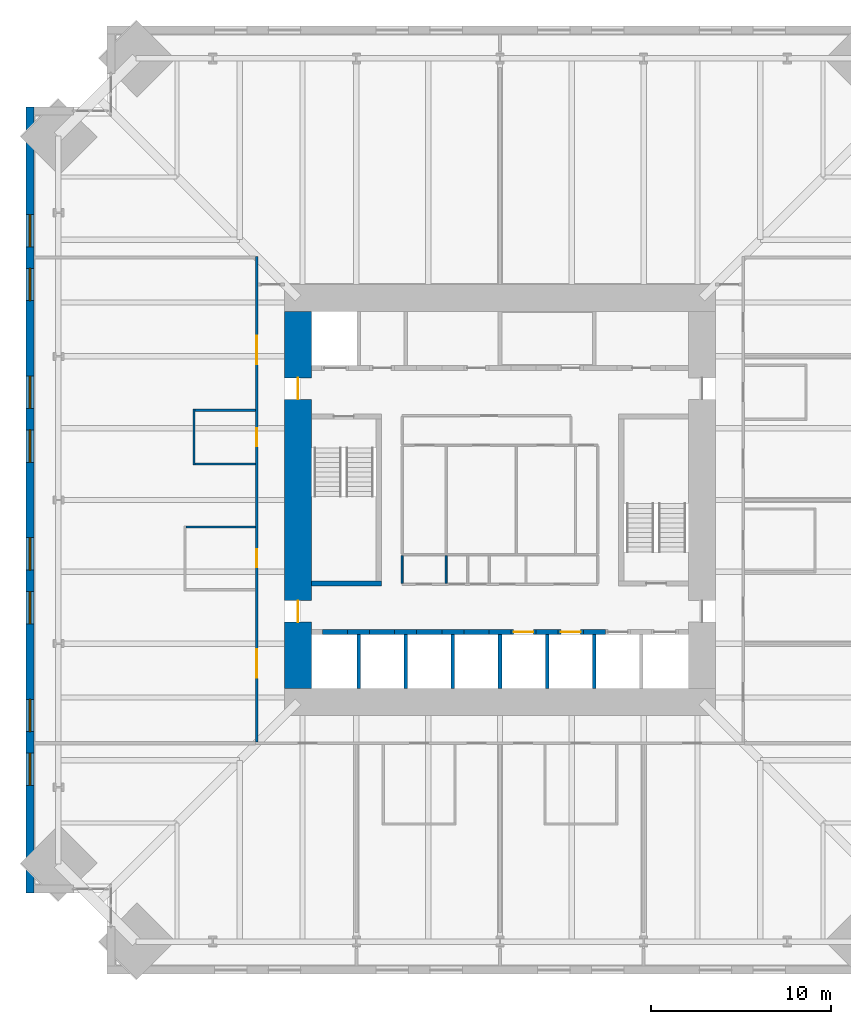
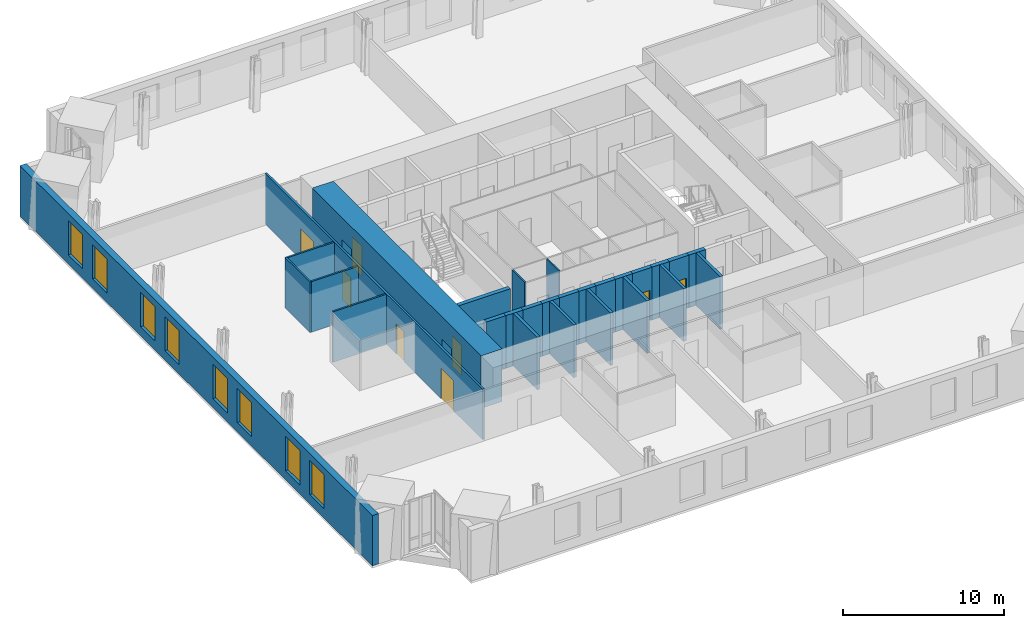
# One storey, part 14 of 18: 28 walls, 8 doors, 8 windows, 16 openings.
"""IFC4 building model written with IfcOpenShell, lengths in metres."""

from ifc_helpers import new_model, si_unit, direction, frame, frame_2d, origin, place, context, subcontext, project, spatial, rectangle, extrude, material, layer, layer_set, type_object, element, fill, save


model = new_model("IFC4")

# Units and contexts
model_context = context("Model", 3, precision=1e-05, world=origin(), true_north=direction((0.0, 1.0)))
body_context = subcontext(model_context, "Body", "Model", "MODEL_VIEW")
ifc_project = project(units=[si_unit("LENGTHUNIT", "METRE"), si_unit("AREAUNIT", "SQUARE_METRE"), si_unit("VOLUMEUNIT", "CUBIC_METRE"), si_unit("PLANEANGLEUNIT", "RADIAN"), si_unit("MASSUNIT", "GRAM", prefix="KILO")], contexts=[model_context])

# Site, building, storey
site_placement = place(None, origin())
site = spatial("IfcSite", under=ifc_project, at=site_placement, CompositionType="ELEMENT")
building_placement = place(site_placement, origin())
building = spatial("IfcBuilding", under=site, at=building_placement, Name="Peilmerk Tower", CompositionType="ELEMENT")
storey_placement = place(building_placement, frame((0.0, 0.0, 155.800048828125)))
storey = spatial("IfcBuildingStorey", under=building, at=storey_placement, Name="L32", CompositionType="ELEMENT", Elevation=155.800048828125)

# Wall, openings, windows
ifc_material_1 = material(Name="Precast concrete C45/55, board-marked finish", Category="concrete")
ifc_layer_1 = layer(ifc_material_1, 0.449951171875)
ifc_layer_set_1 = layer_set([ifc_layer_1], Name="Precast concrete C45/55, board-marked finish")
wall_type_1 = type_object("IfcWallType", Name="EW1 450 precast concrete facade wall, board-marked", PredefinedType="SOLIDWALL", material=ifc_layer_set_1)
wall_1_placement = place(storey_placement, frame((-26.175048828125, 21.89990234375, 0.0), z_axis=(0.0, 0.0, 1.0), x_axis=(0.0, -1.0, 0.0)))
wall_1 = element("IfcWall", 1, at=wall_1_placement, inside=storey, type_object=wall_type_1, Name="Facade wall W L32", PredefinedType="SOLIDWALL", context=body_context, shape_type="SweptSolid", body=[
    extrude(rectangle(XDim=43.7998046875, YDim=0.449951171875, at=frame_2d((21.89990234375, 0.0))), origin(), (0.0, 0.0, 1.0), 3.829833984375),
])
opening_1_placement = place(wall_1_placement, frame((6.0, 0.0, 0.699951171875)))
opening_1 = element("IfcOpeningElement", 2, at=opening_1_placement, cuts=wall_1, Name="Opening W1", PredefinedType="OPENING", context=body_context, shape_type="SweptSolid", body=[
    extrude(rectangle(XDim=1.800048828125, YDim=2.60009765625, at=frame_2d((0.89990234375, 1.300048828125))), frame((0.0, 0.23486328125, 0.0), z_axis=(0.0, -1.0, 0.0), x_axis=(1.0, 0.0, 0.0)), (0.0, 0.0, 1.0), 0.469970703125),
])
opening_2_placement = place(wall_1_placement, frame((9.0, 0.0, 0.699951171875)))
opening_2 = element("IfcOpeningElement", 3, at=opening_2_placement, cuts=wall_1, Name="Opening W1", PredefinedType="OPENING", context=body_context, shape_type="SweptSolid", body=[
    extrude(rectangle(XDim=1.800048828125, YDim=2.60009765625, at=frame_2d((0.89990234375, 1.300048828125))), frame((0.0, 0.23486328125, 0.0), z_axis=(0.0, -1.0, 0.0), x_axis=(1.0, 0.0, 0.0)), (0.0, 0.0, 1.0), 0.469970703125),
])
opening_3_placement = place(wall_1_placement, frame((15.0, 0.0, 0.699951171875)))
opening_3 = element("IfcOpeningElement", 4, at=opening_3_placement, cuts=wall_1, Name="Opening W1", PredefinedType="OPENING", context=body_context, shape_type="SweptSolid", body=[
    extrude(rectangle(XDim=1.800048828125, YDim=2.60009765625, at=frame_2d((0.89990234375, 1.300048828125))), frame((0.0, 0.23486328125, 0.0), z_axis=(0.0, -1.0, 0.0), x_axis=(1.0, 0.0, 0.0)), (0.0, 0.0, 1.0), 0.469970703125),
])
opening_4_placement = place(wall_1_placement, frame((18.0, 0.0, 0.699951171875)))
opening_4 = element("IfcOpeningElement", 5, at=opening_4_placement, cuts=wall_1, Name="Opening W1", PredefinedType="OPENING", context=body_context, shape_type="SweptSolid", body=[
    extrude(rectangle(XDim=1.800048828125, YDim=2.60009765625, at=frame_2d((0.89990234375, 1.300048828125))), frame((0.0, 0.23486328125, 0.0), z_axis=(0.0, -1.0, 0.0), x_axis=(1.0, 0.0, 0.0)), (0.0, 0.0, 1.0), 0.469970703125),
])
opening_5_placement = place(wall_1_placement, frame((24.0, 0.0, 0.699951171875)))
opening_5 = element("IfcOpeningElement", 6, at=opening_5_placement, cuts=wall_1, Name="Opening W1", PredefinedType="OPENING", context=body_context, shape_type="SweptSolid", body=[
    extrude(rectangle(XDim=1.800048828125, YDim=2.60009765625, at=frame_2d((0.89990234375, 1.300048828125))), frame((0.0, 0.23486328125, 0.0), z_axis=(0.0, -1.0, 0.0), x_axis=(1.0, 0.0, 0.0)), (0.0, 0.0, 1.0), 0.469970703125),
])
opening_6_placement = place(wall_1_placement, frame((27.0, 0.0, 0.699951171875)))
opening_6 = element("IfcOpeningElement", 7, at=opening_6_placement, cuts=wall_1, Name="Opening W1", PredefinedType="OPENING", context=body_context, shape_type="SweptSolid", body=[
    extrude(rectangle(XDim=1.800048828125, YDim=2.60009765625, at=frame_2d((0.89990234375, 1.300048828125))), frame((0.0, 0.23486328125, 0.0), z_axis=(0.0, -1.0, 0.0), x_axis=(1.0, 0.0, 0.0)), (0.0, 0.0, 1.0), 0.469970703125),
])
opening_7_placement = place(wall_1_placement, frame((33.0, 0.0, 0.699951171875)))
opening_7 = element("IfcOpeningElement", 8, at=opening_7_placement, cuts=wall_1, Name="Opening W1", PredefinedType="OPENING", context=body_context, shape_type="SweptSolid", body=[
    extrude(rectangle(XDim=1.800048828125, YDim=2.60009765625, at=frame_2d((0.89990234375, 1.300048828125))), frame((0.0, 0.23486328125, 0.0), z_axis=(0.0, -1.0, 0.0), x_axis=(1.0, 0.0, 0.0)), (0.0, 0.0, 1.0), 0.469970703125),
])
opening_8_placement = place(wall_1_placement, frame((36.0, 0.0, 0.699951171875)))
opening_8 = element("IfcOpeningElement", 9, at=opening_8_placement, cuts=wall_1, Name="Opening W1", PredefinedType="OPENING", context=body_context, shape_type="SweptSolid", body=[
    extrude(rectangle(XDim=1.800048828125, YDim=2.60009765625, at=frame_2d((0.89990234375, 1.300048828125))), frame((0.0, 0.23486328125, 0.0), z_axis=(0.0, -1.0, 0.0), x_axis=(1.0, 0.0, 0.0)), (0.0, 0.0, 1.0), 0.469970703125),
])
ifc_material_2 = material(Name="Aluminium frame, clear double glazing", Category="aluminium")
window_type = type_object("IfcWindowType", Name="W1 1800x2600 office window", PartitioningType="SINGLE_PANEL", PredefinedType="WINDOW", material=ifc_material_2)
window_1_placement = place(opening_1_placement, origin())
window_1 = element("IfcWindow", 10, at=window_1_placement, inside=storey, type_object=window_type, Name="Window W1 L32", OverallHeight=2.60009765625, OverallWidth=1.800048828125, PartitioningType="SINGLE_PANEL", PredefinedType="WINDOW", context=body_context, shape_type="SweptSolid", body=[
    extrude(rectangle(XDim=1.800048828125, YDim=2.60009765625, at=frame_2d((0.89990234375, 1.300048828125))), frame((0.0, 0.030029296875, 0.0), z_axis=(0.0, -1.0, 0.0), x_axis=(1.0, 0.0, 0.0)), (0.0, 0.0, 1.0), 0.06005859375),
])
fill(opening_1, window_1)
window_2_placement = place(opening_2_placement, origin())
window_2 = element("IfcWindow", 11, at=window_2_placement, inside=storey, type_object=window_type, Name="Window W1 L32", OverallHeight=2.60009765625, OverallWidth=1.800048828125, PartitioningType="SINGLE_PANEL", PredefinedType="WINDOW", context=body_context, shape_type="SweptSolid", body=[
    extrude(rectangle(XDim=1.800048828125, YDim=2.60009765625, at=frame_2d((0.89990234375, 1.300048828125))), frame((0.0, 0.030029296875, 0.0), z_axis=(0.0, -1.0, 0.0), x_axis=(1.0, 0.0, 0.0)), (0.0, 0.0, 1.0), 0.06005859375),
])
fill(opening_2, window_2)
window_3_placement = place(opening_3_placement, origin())
window_3 = element("IfcWindow", 12, at=window_3_placement, inside=storey, type_object=window_type, Name="Window W1 L32", OverallHeight=2.60009765625, OverallWidth=1.800048828125, PartitioningType="SINGLE_PANEL", PredefinedType="WINDOW", context=body_context, shape_type="SweptSolid", body=[
    extrude(rectangle(XDim=1.800048828125, YDim=2.60009765625, at=frame_2d((0.89990234375, 1.300048828125))), frame((0.0, 0.030029296875, 0.0), z_axis=(0.0, -1.0, 0.0), x_axis=(1.0, 0.0, 0.0)), (0.0, 0.0, 1.0), 0.06005859375),
])
fill(opening_3, window_3)
window_4_placement = place(opening_4_placement, origin())
window_4 = element("IfcWindow", 13, at=window_4_placement, inside=storey, type_object=window_type, Name="Window W1 L32", OverallHeight=2.60009765625, OverallWidth=1.800048828125, PartitioningType="SINGLE_PANEL", PredefinedType="WINDOW", context=body_context, shape_type="SweptSolid", body=[
    extrude(rectangle(XDim=1.800048828125, YDim=2.60009765625, at=frame_2d((0.89990234375, 1.300048828125))), frame((0.0, 0.030029296875, 0.0), z_axis=(0.0, -1.0, 0.0), x_axis=(1.0, 0.0, 0.0)), (0.0, 0.0, 1.0), 0.06005859375),
])
fill(opening_4, window_4)
window_5_placement = place(opening_5_placement, origin())
window_5 = element("IfcWindow", 14, at=window_5_placement, inside=storey, type_object=window_type, Name="Window W1 L32", OverallHeight=2.60009765625, OverallWidth=1.800048828125, PartitioningType="SINGLE_PANEL", PredefinedType="WINDOW", context=body_context, shape_type="SweptSolid", body=[
    extrude(rectangle(XDim=1.800048828125, YDim=2.60009765625, at=frame_2d((0.89990234375, 1.300048828125))), frame((0.0, 0.030029296875, 0.0), z_axis=(0.0, -1.0, 0.0), x_axis=(1.0, 0.0, 0.0)), (0.0, 0.0, 1.0), 0.06005859375),
])
fill(opening_5, window_5)
window_6_placement = place(opening_6_placement, origin())
window_6 = element("IfcWindow", 15, at=window_6_placement, inside=storey, type_object=window_type, Name="Window W1 L32", OverallHeight=2.60009765625, OverallWidth=1.800048828125, PartitioningType="SINGLE_PANEL", PredefinedType="WINDOW", context=body_context, shape_type="SweptSolid", body=[
    extrude(rectangle(XDim=1.800048828125, YDim=2.60009765625, at=frame_2d((0.89990234375, 1.300048828125))), frame((0.0, 0.030029296875, 0.0), z_axis=(0.0, -1.0, 0.0), x_axis=(1.0, 0.0, 0.0)), (0.0, 0.0, 1.0), 0.06005859375),
])
fill(opening_6, window_6)
window_7_placement = place(opening_7_placement, origin())
window_7 = element("IfcWindow", 16, at=window_7_placement, inside=storey, type_object=window_type, Name="Window W1 L32", OverallHeight=2.60009765625, OverallWidth=1.800048828125, PartitioningType="SINGLE_PANEL", PredefinedType="WINDOW", context=body_context, shape_type="SweptSolid", body=[
    extrude(rectangle(XDim=1.800048828125, YDim=2.60009765625, at=frame_2d((0.89990234375, 1.300048828125))), frame((0.0, 0.030029296875, 0.0), z_axis=(0.0, -1.0, 0.0), x_axis=(1.0, 0.0, 0.0)), (0.0, 0.0, 1.0), 0.06005859375),
])
fill(opening_7, window_7)
window_8_placement = place(opening_8_placement, origin())
window_8 = element("IfcWindow", 17, at=window_8_placement, inside=storey, type_object=window_type, Name="Window W1 L32", OverallHeight=2.60009765625, OverallWidth=1.800048828125, PartitioningType="SINGLE_PANEL", PredefinedType="WINDOW", context=body_context, shape_type="SweptSolid", body=[
    extrude(rectangle(XDim=1.800048828125, YDim=2.60009765625, at=frame_2d((0.89990234375, 1.300048828125))), frame((0.0, 0.030029296875, 0.0), z_axis=(0.0, -1.0, 0.0), x_axis=(1.0, 0.0, 0.0)), (0.0, 0.0, 1.0), 0.06005859375),
])
fill(opening_8, window_8)

# Wall, openings, doors
ifc_material_3 = material(Name="Calcium silicate block", Category="masonry")
ifc_layer_2 = layer(ifc_material_3, 0.14990234375)
ifc_layer_set_2 = layer_set([ifc_layer_2], Name="Calcium silicate block")
wall_type_2 = type_object("IfcWallType", Name="IW1 150 corridor partition, EI 60", PredefinedType="PARTITIONING", material=ifc_layer_set_2)
wall_2_placement = place(storey_placement, frame((-13.550048828125, 13.574951171875, 0.0), z_axis=(0.0, 0.0, 1.0), x_axis=(0.0, -1.0, 0.0)))
wall_2 = element("IfcWall", 18, at=wall_2_placement, inside=storey, type_object=wall_type_2, Name="Corridor wall W L32", PredefinedType="PARTITIONING", context=body_context, shape_type="SweptSolid", body=[
    extrude(rectangle(XDim=27.050048828125, YDim=0.14990234375, at=frame_2d((13.52490234375, 0.0))), origin(), (0.0, 0.0, 1.0), 3.829833984375),
])
opening_9_placement = place(wall_2_placement, frame((21.875, 0.0, 0.0)))
opening_9 = element("IfcOpeningElement", 19, at=opening_9_placement, cuts=wall_2, Name="Opening D9", PredefinedType="OPENING", context=body_context, shape_type="SweptSolid", body=[
    extrude(rectangle(XDim=1.60009765625, YDim=2.300048828125, at=frame_2d((0.800048828125, 1.14990234375))), frame((0.0, 0.0849609375, 0.0), z_axis=(0.0, -1.0, 0.0), x_axis=(1.0, 0.0, 0.0)), (0.0, 0.0, 1.0), 0.169921875),
])
opening_10_placement = place(wall_2_placement, frame((4.425048828125, 0.0, 0.0)))
opening_10 = element("IfcOpeningElement", 20, at=opening_10_placement, cuts=wall_2, Name="Opening D9", PredefinedType="OPENING", context=body_context, shape_type="SweptSolid", body=[
    extrude(rectangle(XDim=1.60009765625, YDim=2.300048828125, at=frame_2d((0.800048828125, 1.14990234375))), frame((0.0, 0.0849609375, 0.0), z_axis=(0.0, -1.0, 0.0), x_axis=(1.0, 0.0, 0.0)), (0.0, 0.0, 1.0), 0.169921875),
])
opening_11_placement = place(wall_2_placement, frame((16.324951171875, 0.0, 0.0)))
opening_11 = element("IfcOpeningElement", 21, at=opening_11_placement, cuts=wall_2, Name="Opening D1", PredefinedType="OPENING", context=body_context, shape_type="SweptSolid", body=[
    extrude(rectangle(XDim=1.0, YDim=2.300048828125, at=frame_2d((0.5, 1.14990234375))), frame((0.0, 0.0849609375, 0.0), z_axis=(0.0, -1.0, 0.0), x_axis=(1.0, 0.0, 0.0)), (0.0, 0.0, 1.0), 0.169921875),
])
opening_12_placement = place(wall_2_placement, frame((9.574951171875, 0.0, 0.0)))
opening_12 = element("IfcOpeningElement", 22, at=opening_12_placement, cuts=wall_2, Name="Opening D1", PredefinedType="OPENING", context=body_context, shape_type="SweptSolid", body=[
    extrude(rectangle(XDim=1.0, YDim=2.300048828125, at=frame_2d((0.5, 1.14990234375))), frame((0.0, 0.0849609375, 0.0), z_axis=(0.0, -1.0, 0.0), x_axis=(1.0, 0.0, 0.0)), (0.0, 0.0, 1.0), 0.169921875),
])
ifc_material_4 = material(Name="Timber door in steel frame", Category="steel")
door_type_1 = type_object("IfcDoorType", Name="D1 1000x2300 room door, EI2 30", OperationType="SINGLE_SWING_LEFT", PredefinedType="DOOR", material=ifc_material_4)
door_1_placement = place(opening_11_placement, frame((1.0, 0.0, 0.0), z_axis=(0.0, 0.0, 1.0), x_axis=(-1.0, 0.0, 0.0)))
door_1 = element("IfcDoor", 23, at=door_1_placement, inside=storey, type_object=door_type_1, Name="Door Pantry L32", OperationType="SINGLE_SWING_LEFT", OverallHeight=2.300048828125, OverallWidth=1.0, PredefinedType="DOOR", context=body_context, shape_type="SweptSolid", body=[
    extrude(rectangle(XDim=1.0, YDim=2.300048828125, at=frame_2d((0.5, 1.14990234375))), frame((0.0, 0.02490234375, 0.0), z_axis=(0.0, -1.0, 0.0), x_axis=(1.0, 0.0, 0.0)), (0.0, 0.0, 1.0), 0.050048828125),
])
fill(opening_11, door_1)
door_2_placement = place(opening_12_placement, frame((1.0, 0.0, 0.0), z_axis=(0.0, 0.0, 1.0), x_axis=(-1.0, 0.0, 0.0)))
door_2 = element("IfcDoor", 24, at=door_2_placement, inside=storey, type_object=door_type_1, Name="Door Focus room L32", OperationType="SINGLE_SWING_LEFT", OverallHeight=2.300048828125, OverallWidth=1.0, PredefinedType="DOOR", context=body_context, shape_type="SweptSolid", body=[
    extrude(rectangle(XDim=1.0, YDim=2.300048828125, at=frame_2d((0.5, 1.14990234375))), frame((0.0, 0.02490234375, 0.0), z_axis=(0.0, -1.0, 0.0), x_axis=(1.0, 0.0, 0.0)), (0.0, 0.0, 1.0), 0.050048828125),
])
fill(opening_12, door_2)
ifc_material_5 = material(Name="Glazed timber door in steel frame", Category="steel")
door_type_2 = type_object("IfcDoorType", Name="D9 1600x2300 glazed double door, EI2 30", OperationType="DOUBLE_DOOR_SINGLE_SWING", PredefinedType="DOOR", material=ifc_material_5)
door_3_placement = place(opening_9_placement, frame((1.60009765625, 0.0, 0.0), z_axis=(0.0, 0.0, 1.0), x_axis=(-1.0, 0.0, 0.0)))
door_3 = element("IfcDoor", 25, at=door_3_placement, inside=storey, type_object=door_type_2, Name="Door Open workspace L32", OperationType="DOUBLE_DOOR_SINGLE_SWING", OverallHeight=2.300048828125, OverallWidth=1.60009765625, PredefinedType="DOOR", context=body_context, shape_type="SweptSolid", body=[
    extrude(rectangle(XDim=1.60009765625, YDim=2.300048828125, at=frame_2d((0.800048828125, 1.14990234375))), frame((0.0, 0.02490234375, 0.0), z_axis=(0.0, -1.0, 0.0), x_axis=(1.0, 0.0, 0.0)), (0.0, 0.0, 1.0), 0.050048828125),
])
fill(opening_9, door_3)
door_4_placement = place(opening_10_placement, frame((1.60009765625, 0.0, 0.0), z_axis=(0.0, 0.0, 1.0), x_axis=(-1.0, 0.0, 0.0)))
door_4 = element("IfcDoor", 26, at=door_4_placement, inside=storey, type_object=door_type_2, Name="Door Open workspace L32", OperationType="DOUBLE_DOOR_SINGLE_SWING", OverallHeight=2.300048828125, OverallWidth=1.60009765625, PredefinedType="DOOR", context=body_context, shape_type="SweptSolid", body=[
    extrude(rectangle(XDim=1.60009765625, YDim=2.300048828125, at=frame_2d((0.800048828125, 1.14990234375))), frame((0.0, 0.02490234375, 0.0), z_axis=(0.0, -1.0, 0.0), x_axis=(1.0, 0.0, 0.0)), (0.0, 0.0, 1.0), 0.050048828125),
])
fill(opening_10, door_4)

# Walls
ifc_material_6 = material(Name="Concrete C35/45", Category="concrete")
ifc_layer_3 = layer(ifc_material_6, 0.300048828125)
ifc_layer_set_3 = layer_set([ifc_layer_3], Name="Concrete C35/45")
wall_type_3 = type_object("IfcWallType", Name="IW3 300 concrete stair enclosure wall, EI 120", PredefinedType="SOLIDWALL", material=ifc_layer_set_3)
wall_3_placement = place(storey_placement, frame((-6.60009765625, -4.64990234375, 0.0), z_axis=(0.0, 0.0, 1.0), x_axis=(-1.0, 0.0, 0.0)))
element("IfcWall", 27, at=wall_3_placement, inside=storey, type_object=wall_type_3, Name="Stair 1 enclosure L32", PredefinedType="SOLIDWALL", context=body_context, shape_type="SweptSolid", body=[
    extrude(rectangle(XDim=3.89990234375, YDim=0.300048828125, at=frame_2d((1.949951171875, 0.0))), origin(), (0.0, 0.0, 1.0), 3.75),
])
ifc_material_7 = material(Name="Calcium silicate board on steel studs", Category="steel")
ifc_layer_4 = layer(ifc_material_7, 0.10009765625)
ifc_layer_set_4 = layer_set([ifc_layer_4], Name="Calcium silicate board on steel studs")
wall_type_4 = type_object("IfcWallType", Name="IW5 100 riser enclosure wall, EI 60", PredefinedType="PARTITIONING", material=ifc_layer_set_4)
for number, where, z_axis, x_axis, name in (
    (28, (-5.449951171875, -3.10009765625, 0.0), (0.0, 0.0, 1.0), (0.0, -1.0, 0.0), "Riser wall L32"),
    (29, (-3.0, -3.10009765625, 0.0), (0.0, 0.0, 1.0), (0.0, -1.0, 0.0), "Riser wall L32"),
):
    element("IfcWall", number, at=place(storey_placement, frame(where, z_axis=z_axis, x_axis=x_axis)), inside=storey, type_object=wall_type_4, Name=name, PredefinedType="PARTITIONING", context=body_context, shape_type="SweptSolid", body=[
        extrude(rectangle(XDim=1.5498046875, YDim=0.10009765625, at=frame_2d((0.77490234375, 0.0))), origin(), (0.0, 0.0, 1.0), 3.75),
    ])
ifc_material_8 = material(Name="Plasterboard on steel studs, double boarded with mineral wool", Category="steel")
ifc_layer_5 = layer(ifc_material_8, 0.125)
ifc_layer_set_5 = layer_set([ifc_layer_5], Name="Plasterboard on steel studs, double boarded with mineral wool")
wall_type_5 = type_object("IfcWallType", Name="IW7 125 acoustic partition, EI 30", PredefinedType="PARTITIONING", material=ifc_layer_set_5)
wall_4_placement = place(storey_placement, frame((-13.625, -1.5, 0.0), z_axis=(0.0, 0.0, 1.0), x_axis=(-1.0, 0.0, 0.0)))
element("IfcWall", 30, at=wall_4_placement, inside=storey, type_object=wall_type_5, Name="Acoustic partition Pantry L32", PredefinedType="PARTITIONING", context=body_context, shape_type="SweptSolid", body=[
    extrude(rectangle(XDim=3.862548828125, YDim=0.125, at=frame_2d((1.93115234375, 0.0))), origin(), (0.0, 0.0, 1.0), 3.829833984375),
])
wall_5_placement = place(storey_placement, frame((-17.050048828125, 1.9375, 0.0), z_axis=(0.0, 0.0, 1.0), x_axis=(0.0, 1.0, 0.0)))
element("IfcWall", 31, at=wall_5_placement, inside=storey, type_object=wall_type_5, Name="Acoustic partition Focus room L32", PredefinedType="PARTITIONING", context=body_context, shape_type="SweptSolid", body=[
    extrude(rectangle(XDim=3.125, YDim=0.125, at=frame_2d((1.5625, 0.0))), origin(), (0.0, 0.0, 1.0), 3.829833984375),
])
for number, where, z_axis, x_axis, name in (
    (32, (-13.625, 2.0, 0.0), (0.0, 0.0, 1.0), (-1.0, 0.0, 0.0), "Acoustic partition Focus room L32"),
    (33, (-13.625, 5.0, 0.0), (0.0, 0.0, 1.0), (-1.0, 0.0, 0.0), "Acoustic partition Focus room L32"),
):
    element("IfcWall", number, at=place(storey_placement, frame(where, z_axis=z_axis, x_axis=x_axis)), inside=storey, type_object=wall_type_5, Name=name, PredefinedType="PARTITIONING", context=body_context, shape_type="SweptSolid", body=[
        extrude(rectangle(XDim=3.362548828125, YDim=0.125, at=frame_2d((1.68115234375, 0.0))), origin(), (0.0, 0.0, 1.0), 3.829833984375),
    ])
ifc_layer_6 = layer(ifc_material_3, 0.199951171875)
ifc_layer_set_6 = layer_set([ifc_layer_6], Name="Calcium silicate block")
wall_type_6 = type_object("IfcWallType", Name="SH1 200 shaft dividing wall, EI 120", PredefinedType="PARTITIONING", material=ifc_layer_set_6)
for number, where, z_axis, x_axis, name in (
    (34, (-7.875, -10.5, 0.0), (0.0, 0.0, 1.0), (0.0, 1.0, 0.0), "Shaft wall S C4 L32"),
    (35, (-5.25, -10.5, 0.0), (0.0, 0.0, 1.0), (0.0, 1.0, 0.0), "Shaft wall S C3 L32"),
    (36, (-2.625, -10.5, 0.0), (0.0, 0.0, 1.0), (0.0, 1.0, 0.0), "Shaft wall S C2 L32"),
    (37, (0.0, -10.5, 0.0), (0.0, 0.0, 1.0), (0.0, 1.0, 0.0), "Shaft wall S C1 L32"),
    (38, (2.625, -10.5, 0.0), (0.0, 0.0, 1.0), (0.0, 1.0, 0.0), "Shaft wall S B3 L32"),
    (39, (5.25, -10.5, 0.0), (0.0, 0.0, 1.0), (0.0, 1.0, 0.0), "Shaft wall S B2 L32"),
):
    element("IfcWall", number, at=place(storey_placement, frame(where, z_axis=z_axis, x_axis=x_axis)), inside=storey, type_object=wall_type_6, Name=name, PredefinedType="PARTITIONING", context=body_context, shape_type="SweptSolid", body=[
        extrude(rectangle(XDim=3.0, YDim=0.199951171875, at=frame_2d((1.5, 0.0))), origin(), (0.0, 0.0, 1.0), 4.0),
    ])
ifc_layer_7 = layer(ifc_material_3, 0.300048828125)
ifc_layer_set_7 = layer_set([ifc_layer_7], Name="Calcium silicate block")
wall_type_7 = type_object("IfcWallType", Name="SH2 300 lift landing door panel, EI 120", PredefinedType="PARTITIONING", material=ifc_layer_set_7)
for number, where, z_axis, x_axis, name in (
    (40, (-9.887451171875, -7.35009765625, 0.0), (0.0, 0.0, 1.0), (1.0, 0.0, 0.0), "Lift door panel S C4 L32"),
    (41, (-7.262451171875, -7.35009765625, 0.0), (0.0, 0.0, 1.0), (1.0, 0.0, 0.0), "Lift door panel S C3 L32"),
    (42, (-4.637451171875, -7.35009765625, 0.0), (0.0, 0.0, 1.0), (1.0, 0.0, 0.0), "Lift door panel S C2 L32"),
    (43, (-2.012451171875, -7.35009765625, 0.0), (0.0, 0.0, 1.0), (1.0, 0.0, 0.0), "Lift door panel S C1 L32"),
):
    element("IfcWall", number, at=place(storey_placement, frame(where, z_axis=z_axis, x_axis=x_axis)), inside=storey, type_object=wall_type_7, Name=name, PredefinedType="PARTITIONING", context=body_context, shape_type="SweptSolid", body=[
        extrude(rectangle(XDim=1.39990234375, YDim=0.300048828125, at=frame_2d((0.699951171875, 0.0))), origin(), (0.0, 0.0, 1.0), 4.0),
    ])

# Wall, opening, door
wall_6_placement = place(storey_placement, frame((0.612548828125, -7.35009765625, 0.0), z_axis=(0.0, 0.0, 1.0), x_axis=(1.0, 0.0, 0.0)))
wall_6 = element("IfcWall", 44, at=wall_6_placement, inside=storey, type_object=wall_type_7, Name="Lift door panel S B3 L32", PredefinedType="PARTITIONING", context=body_context, shape_type="SweptSolid", body=[
    extrude(rectangle(XDim=1.39990234375, YDim=0.300048828125, at=frame_2d((0.699951171875, 0.0))), origin(), (0.0, 0.0, 1.0), 4.0),
])
opening_13_placement = place(wall_6_placement, frame((0.14990234375, 0.0, 0.0)))
opening_13 = element("IfcOpeningElement", 45, at=opening_13_placement, cuts=wall_6, Name="Opening LD1", PredefinedType="OPENING", context=body_context, shape_type="SweptSolid", body=[
    extrude(rectangle(XDim=1.10009765625, YDim=2.300048828125, at=frame_2d((0.550048828125, 1.14990234375))), frame((0.0, 0.159912109375, 0.0), z_axis=(0.0, -1.0, 0.0), x_axis=(1.0, 0.0, 0.0)), (0.0, 0.0, 1.0), 0.320068359375),
])
ifc_material_9 = material(Name="Stainless steel landing door", Category="steel")
door_type_3 = type_object("IfcDoorType", Name="LD1 1100x2300 lift landing door, sliding, EI2 60", OperationType="SLIDING_TO_LEFT", PredefinedType="DOOR", material=ifc_material_9)
door_5_placement = place(opening_13_placement, origin())
door_5 = element("IfcDoor", 46, at=door_5_placement, inside=storey, type_object=door_type_3, Name="Lift landing door B3 L32", OperationType="SLIDING_TO_LEFT", OverallHeight=2.300048828125, OverallWidth=1.10009765625, PredefinedType="DOOR", context=body_context, shape_type="SweptSolid", body=[
    extrude(rectangle(XDim=1.10009765625, YDim=2.300048828125, at=frame_2d((0.550048828125, 1.14990234375))), frame((0.0, 0.02490234375, 0.0), z_axis=(0.0, -1.0, 0.0), x_axis=(1.0, 0.0, 0.0)), (0.0, 0.0, 1.0), 0.050048828125),
])
fill(opening_13, door_5)

wall_7_placement = place(storey_placement, frame((3.237548828125, -7.35009765625, 0.0), z_axis=(0.0, 0.0, 1.0), x_axis=(1.0, 0.0, 0.0)))
wall_7 = element("IfcWall", 47, at=wall_7_placement, inside=storey, type_object=wall_type_7, Name="Lift door panel S B2 L32", PredefinedType="PARTITIONING", context=body_context, shape_type="SweptSolid", body=[
    extrude(rectangle(XDim=1.39990234375, YDim=0.300048828125, at=frame_2d((0.699951171875, 0.0))), origin(), (0.0, 0.0, 1.0), 4.0),
])
opening_14_placement = place(wall_7_placement, frame((0.14990234375, 0.0, 0.0)))
opening_14 = element("IfcOpeningElement", 48, at=opening_14_placement, cuts=wall_7, Name="Opening LD1", PredefinedType="OPENING", context=body_context, shape_type="SweptSolid", body=[
    extrude(rectangle(XDim=1.10009765625, YDim=2.300048828125, at=frame_2d((0.550048828125, 1.14990234375))), frame((0.0, 0.159912109375, 0.0), z_axis=(0.0, -1.0, 0.0), x_axis=(1.0, 0.0, 0.0)), (0.0, 0.0, 1.0), 0.320068359375),
])
door_6_placement = place(opening_14_placement, origin())
door_6 = element("IfcDoor", 49, at=door_6_placement, inside=storey, type_object=door_type_3, Name="Lift landing door B2 L32", OperationType="SLIDING_TO_LEFT", OverallHeight=2.300048828125, OverallWidth=1.10009765625, PredefinedType="DOOR", context=body_context, shape_type="SweptSolid", body=[
    extrude(rectangle(XDim=1.10009765625, YDim=2.300048828125, at=frame_2d((0.550048828125, 1.14990234375))), frame((0.0, 0.02490234375, 0.0), z_axis=(0.0, -1.0, 0.0), x_axis=(1.0, 0.0, 0.0)), (0.0, 0.0, 1.0), 0.050048828125),
])
fill(opening_14, door_6)

# Wall, openings, doors
ifc_material_10 = material(Name="Concrete C55/67", Category="concrete")
ifc_layer_8 = layer(ifc_material_10, 1.5)
ifc_layer_set_8 = layer_set([ifc_layer_8], Name="Concrete C55/67")
wall_type_8 = type_object("IfcWallType", Name="SW1 1500 core wall", PredefinedType="SHEAR", material=ifc_layer_set_8)
wall_8_placement = place(storey_placement, frame((-11.25, -10.5, 0.0), z_axis=(0.0, 0.0, 1.0), x_axis=(0.0, 1.0, 0.0)))
wall_8 = element("IfcWall", 50, at=wall_8_placement, inside=storey, type_object=wall_type_8, Name="Core wall W L32", PredefinedType="SHEAR", context=body_context, shape_type="SweptSolid", body=[
    extrude(rectangle(XDim=21.0, YDim=1.5, at=frame_2d((10.5, 0.0))), origin(), (0.0, 0.0, 1.0), 4.0),
])
opening_15_placement = place(wall_8_placement, frame((16.10009765625, 0.0, 0.0)))
opening_15 = element("IfcOpeningElement", 51, at=opening_15_placement, cuts=wall_8, Name="Opening D3", PredefinedType="OPENING", context=body_context, shape_type="SweptSolid", body=[
    extrude(rectangle(XDim=1.199951171875, YDim=2.300048828125, at=frame_2d((0.60009765625, 1.14990234375))), frame((0.0, 0.760009765625, 0.0), z_axis=(0.0, -1.0, 0.0), x_axis=(1.0, 0.0, 0.0)), (0.0, 0.0, 1.0), 1.52001953125),
])
opening_16_placement = place(wall_8_placement, frame((3.699951171875, 0.0, 0.0)))
opening_16 = element("IfcOpeningElement", 52, at=opening_16_placement, cuts=wall_8, Name="Opening D3", PredefinedType="OPENING", context=body_context, shape_type="SweptSolid", body=[
    extrude(rectangle(XDim=1.199951171875, YDim=2.300048828125, at=frame_2d((0.60009765625, 1.14990234375))), frame((0.0, 0.760009765625, 0.0), z_axis=(0.0, -1.0, 0.0), x_axis=(1.0, 0.0, 0.0)), (0.0, 0.0, 1.0), 1.52001953125),
])
ifc_material_11 = material(Name="Steel door in steel frame", Category="steel")
door_type_4 = type_object("IfcDoorType", Name="D3 1200x2300 core door, EI2 60", OperationType="SINGLE_SWING_LEFT", PredefinedType="DOOR", material=ifc_material_11)
door_7_placement = place(opening_15_placement, frame((1.199951171875, 0.0, 0.0), z_axis=(0.0, 0.0, 1.0), x_axis=(-1.0, 0.0, 0.0)))
door_7 = element("IfcDoor", 53, at=door_7_placement, inside=storey, type_object=door_type_4, Name="Core door L32", OperationType="SINGLE_SWING_LEFT", OverallHeight=2.300048828125, OverallWidth=1.199951171875, PredefinedType="DOOR", context=body_context, shape_type="SweptSolid", body=[
    extrude(rectangle(XDim=1.199951171875, YDim=2.300048828125, at=frame_2d((0.60009765625, 1.14990234375))), frame((0.0, 0.02490234375, 0.0), z_axis=(0.0, -1.0, 0.0), x_axis=(1.0, 0.0, 0.0)), (0.0, 0.0, 1.0), 0.050048828125),
])
fill(opening_15, door_7)
door_8_placement = place(opening_16_placement, frame((1.199951171875, 0.0, 0.0), z_axis=(0.0, 0.0, 1.0), x_axis=(-1.0, 0.0, 0.0)))
door_8 = element("IfcDoor", 54, at=door_8_placement, inside=storey, type_object=door_type_4, Name="Core door L32", OperationType="SINGLE_SWING_LEFT", OverallHeight=2.300048828125, OverallWidth=1.199951171875, PredefinedType="DOOR", context=body_context, shape_type="SweptSolid", body=[
    extrude(rectangle(XDim=1.199951171875, YDim=2.300048828125, at=frame_2d((0.60009765625, 1.14990234375))), frame((0.0, 0.02490234375, 0.0), z_axis=(0.0, -1.0, 0.0), x_axis=(1.0, 0.0, 0.0)), (0.0, 0.0, 1.0), 0.050048828125),
])
fill(opening_16, door_8)

# Walls
ifc_layer_9 = layer(ifc_material_10, 0.300048828125)
ifc_layer_set_9 = layer_set([ifc_layer_9], Name="Concrete C55/67")
wall_type_9 = type_object("IfcWallType", Name="SW2 300 lift bank pier", PredefinedType="SHEAR", material=ifc_layer_set_9)
for number, where, z_axis, x_axis, name in (
    (55, (-8.487548828125, -7.35009765625, 0.0), (0.0, 0.0, 1.0), (1.0, 0.0, 0.0), "Lift bank pier S L32"),
    (56, (-5.862548828125, -7.35009765625, 0.0), (0.0, 0.0, 1.0), (1.0, 0.0, 0.0), "Lift bank pier S L32"),
    (57, (-3.237548828125, -7.35009765625, 0.0), (0.0, 0.0, 1.0), (1.0, 0.0, 0.0), "Lift bank pier S L32"),
    (58, (-0.612548828125, -7.35009765625, 0.0), (0.0, 0.0, 1.0), (1.0, 0.0, 0.0), "Lift bank pier S L32"),
    (59, (2.012451171875, -7.35009765625, 0.0), (0.0, 0.0, 1.0), (1.0, 0.0, 0.0), "Lift bank pier S L32"),
    (60, (4.637451171875, -7.35009765625, 0.0), (0.0, 0.0, 1.0), (1.0, 0.0, 0.0), "Lift bank pier S L32"),
):
    element("IfcWall", number, at=place(storey_placement, frame(where, z_axis=z_axis, x_axis=x_axis)), inside=storey, type_object=wall_type_9, Name=name, PredefinedType="SHEAR", context=body_context, shape_type="SweptSolid", body=[
        extrude(rectangle(XDim=1.22509765625, YDim=0.300048828125, at=frame_2d((0.612548828125, 0.0))), origin(), (0.0, 0.0, 1.0), 4.0),
    ])

save(model, "model.ifc")
